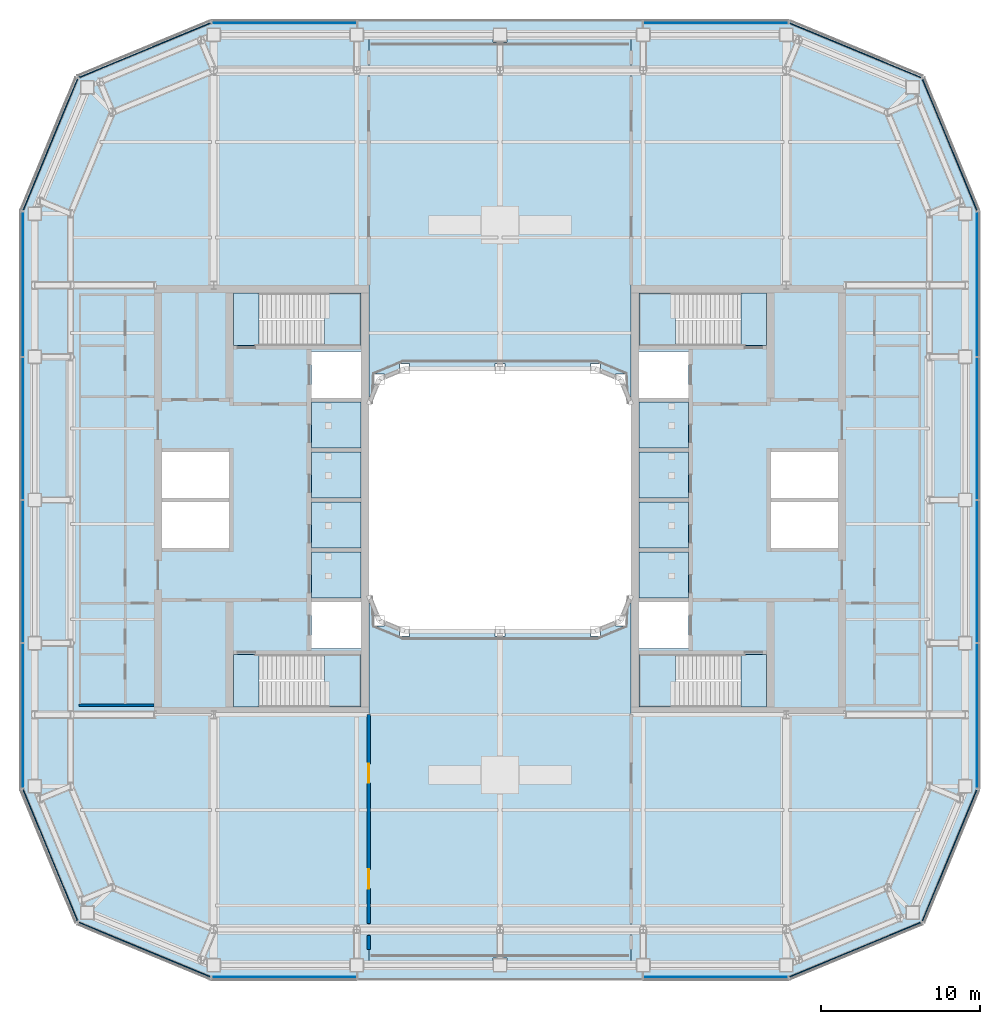
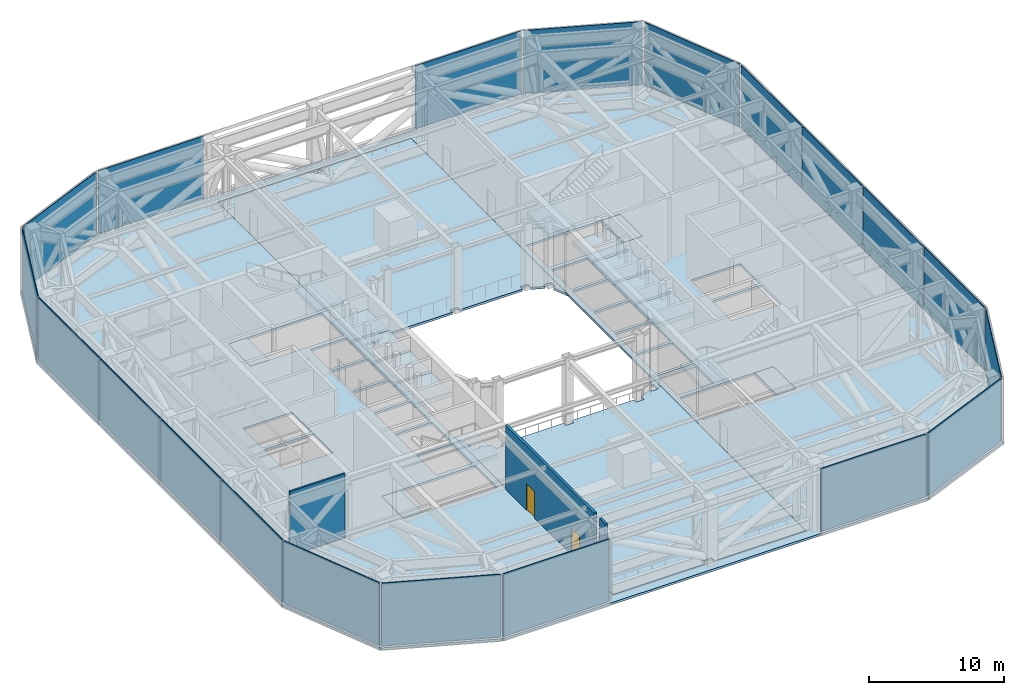
# One storey, part 10 of 22: 20 plates, 19 slabs, 3 walls, 2 doors, 2 openings, 18 elements without a shape of their own.
"""IFC4 building model written with IfcOpenShell, lengths in metres."""

from ifc_helpers import new_model, si_unit, direction, frame, frame_2d, origin, origin_2d, place, context, subcontext, project, spatial, polyline, rectangle, outline, extrude, material, layer, layer_set, type_object, element, fill, aggregate, save


model = new_model("IFC4")

# Units and contexts
model_context = context("Model", 3, precision=1e-05, world=origin(), true_north=direction((0.0, 1.0)))
body_context = subcontext(model_context, "Body", "Model", "MODEL_VIEW")
ifc_project = project(units=[si_unit("LENGTHUNIT", "METRE"), si_unit("AREAUNIT", "SQUARE_METRE"), si_unit("VOLUMEUNIT", "CUBIC_METRE"), si_unit("PLANEANGLEUNIT", "RADIAN"), si_unit("MASSUNIT", "GRAM", prefix="KILO")], contexts=[model_context])

# Site, building, storey
site_placement = place(None, origin())
site = spatial("IfcSite", under=ifc_project, at=site_placement, CompositionType="ELEMENT")
building_placement = place(site_placement, origin())
building = spatial("IfcBuilding", under=site, at=building_placement, Name="Siwar Civic Tower", CompositionType="ELEMENT")
storey_placement = place(building_placement, frame((0.0, 0.0, 181.199951171875)))
storey = spatial("IfcBuildingStorey", under=building, at=storey_placement, Name="L39", CompositionType="ELEMENT", Elevation=181.199951171875)

# Slabs
ifc_material_1 = material(Name="Concrete C40/50", Category="concrete")
ifc_layer_1 = layer(ifc_material_1, 0.39990234375)
ifc_layer_set_1 = layer_set([ifc_layer_1], Name="Concrete C40/50")
slab_type_1 = type_object("IfcSlabType", Name="CORE-PIT-SLAB", PredefinedType="BASESLAB", material=ifc_layer_set_1)
slab_1_placement = place(storey_placement, frame((0.0, 0.0, 4.10009765625)))
element("IfcSlab", 1, at=slab_1_placement, inside=storey, type_object=slab_type_1, Name="Lift pit floor HR1", PredefinedType="BASESLAB", context=body_context, shape_type="SweptSolid", body=[
    extrude(outline(polyline([(-8.75, -3.27490234375), (-11.85009765625, -3.27490234375), (-11.85009765625, -6.175048828125), (-8.75, -6.175048828125), (-8.75, -3.27490234375)])), origin(), (0.0, 0.0, 1.0), 0.39990234375),
])
slab_2_placement = place(storey_placement, frame((0.0, 0.0, 4.10009765625)))
element("IfcSlab", 2, at=slab_2_placement, inside=storey, type_object=slab_type_1, Name="Lift pit floor HR2", PredefinedType="BASESLAB", context=body_context, shape_type="SweptSolid", body=[
    extrude(outline(polyline([(-8.75, -0.125), (-11.85009765625, -0.125), (-11.85009765625, -3.02490234375), (-8.75, -3.02490234375), (-8.75, -0.125)])), origin(), (0.0, 0.0, 1.0), 0.39990234375),
])
slab_3_placement = place(storey_placement, frame((0.0, 0.0, 4.10009765625)))
element("IfcSlab", 3, at=slab_3_placement, inside=storey, type_object=slab_type_1, Name="Lift pit floor HR3", PredefinedType="BASESLAB", context=body_context, shape_type="SweptSolid", body=[
    extrude(outline(polyline([(-8.75, 3.02490234375), (-11.85009765625, 3.02490234375), (-11.85009765625, 0.125), (-8.75, 0.125), (-8.75, 3.02490234375)])), origin(), (0.0, 0.0, 1.0), 0.39990234375),
])
slab_4_placement = place(storey_placement, frame((0.0, 0.0, 4.10009765625)))
element("IfcSlab", 4, at=slab_4_placement, inside=storey, type_object=slab_type_1, Name="Lift pit floor HR4", PredefinedType="BASESLAB", context=body_context, shape_type="SweptSolid", body=[
    extrude(outline(polyline([(-8.75, 6.175048828125), (-11.85009765625, 6.175048828125), (-11.85009765625, 3.27490234375), (-8.75, 3.27490234375), (-8.75, 6.175048828125)])), origin(), (0.0, 0.0, 1.0), 0.39990234375),
])
slab_5_placement = place(storey_placement, frame((0.0, 0.0, 4.10009765625)))
element("IfcSlab", 5, at=slab_5_placement, inside=storey, type_object=slab_type_1, Name="Lift pit floor HR5", PredefinedType="BASESLAB", context=body_context, shape_type="SweptSolid", body=[
    extrude(outline(polyline([(8.75, -6.175048828125), (11.85009765625, -6.175048828125), (11.85009765625, -3.27490234375), (8.75, -3.27490234375), (8.75, -6.175048828125)])), origin(), (0.0, 0.0, 1.0), 0.39990234375),
])
slab_6_placement = place(storey_placement, frame((0.0, 0.0, 4.10009765625)))
element("IfcSlab", 6, at=slab_6_placement, inside=storey, type_object=slab_type_1, Name="Lift pit floor HR6", PredefinedType="BASESLAB", context=body_context, shape_type="SweptSolid", body=[
    extrude(outline(polyline([(8.75, -3.02490234375), (11.85009765625, -3.02490234375), (11.85009765625, -0.125), (8.75, -0.125), (8.75, -3.02490234375)])), origin(), (0.0, 0.0, 1.0), 0.39990234375),
])
slab_7_placement = place(storey_placement, frame((0.0, 0.0, 4.10009765625)))
element("IfcSlab", 7, at=slab_7_placement, inside=storey, type_object=slab_type_1, Name="Lift pit floor HR7", PredefinedType="BASESLAB", context=body_context, shape_type="SweptSolid", body=[
    extrude(outline(polyline([(8.75, 0.125), (11.85009765625, 0.125), (11.85009765625, 3.02490234375), (8.75, 3.02490234375), (8.75, 0.125)])), origin(), (0.0, 0.0, 1.0), 0.39990234375),
])
slab_8_placement = place(storey_placement, frame((0.0, 0.0, 4.10009765625)))
element("IfcSlab", 8, at=slab_8_placement, inside=storey, type_object=slab_type_1, Name="Lift pit floor HR8", PredefinedType="BASESLAB", context=body_context, shape_type="SweptSolid", body=[
    extrude(outline(polyline([(8.75, 3.27490234375), (11.85009765625, 3.27490234375), (11.85009765625, 6.175048828125), (8.75, 6.175048828125), (8.75, 3.27490234375)])), origin(), (0.0, 0.0, 1.0), 0.39990234375),
])

# Stair, slabs
ifc_material_2 = material(Name="Concrete C40/50", Category="concrete")
stair_type = type_object("IfcStairType", Name="CORE-STAIR", PredefinedType="TWO_STRAIGHT_RUN_STAIR", material=ifc_material_2)
stair_1_placement = place(storey_placement, origin())
stair_1 = element("IfcStair", 9, at=stair_1_placement, inside=storey, type_object=stair_type, Name="Exit stair ST1", PredefinedType="TWO_STRAIGHT_RUN_STAIR")
ifc_material_3 = material(Name="Concrete C40/50", Category="concrete")
ifc_layer_2 = layer(ifc_material_3, 0.300048828125)
ifc_layer_set_2 = layer_set([ifc_layer_2], Name="Concrete C40/50")
slab_type_2 = type_object("IfcSlabType", Name="CORE-STAIR-LANDING", PredefinedType="LANDING", material=ifc_layer_set_2)
slab_9_placement = place(storey_placement, frame((0.0, 0.0, -0.300048828125)))
slab_9 = element("IfcSlab", 10, at=slab_9_placement, type_object=slab_type_2, Name="ST1 landing 1", PredefinedType="LANDING", context=body_context, shape_type="SweptSolid", body=[
    extrude(outline(polyline([(-15.14990234375, 13.0), (-16.75, 13.0), (-16.75, 9.699951171875), (-15.14990234375, 9.699951171875), (-15.14990234375, 13.0)])), origin(), (0.0, 0.0, 1.0), 0.300048828125),
])
slab_10_placement = place(storey_placement, frame((0.0, 0.0, 2.699951171875)))
slab_10 = element("IfcSlab", 11, at=slab_10_placement, type_object=slab_type_2, Name="ST1 landing 2", PredefinedType="LANDING", context=body_context, shape_type="SweptSolid", body=[
    extrude(outline(polyline([(-8.75, 13.0), (-11.02001953125, 13.0), (-11.02001953125, 9.699951171875), (-8.75, 9.699951171875), (-8.75, 13.0)])), origin(), (0.0, 0.0, 1.0), 0.300048828125),
])
aggregate(stair_1, [slab_9, slab_10])

stair_2_placement = place(storey_placement, origin())
stair_2 = element("IfcStair", 12, at=stair_2_placement, inside=storey, type_object=stair_type, Name="Exit stair ST2", PredefinedType="TWO_STRAIGHT_RUN_STAIR")
slab_11_placement = place(storey_placement, frame((0.0, 0.0, -0.300048828125)))
slab_11 = element("IfcSlab", 13, at=slab_11_placement, type_object=slab_type_2, Name="ST2 landing 1", PredefinedType="LANDING", context=body_context, shape_type="SweptSolid", body=[
    extrude(outline(polyline([(-15.14990234375, -9.699951171875), (-16.75, -9.699951171875), (-16.75, -13.0), (-15.14990234375, -13.0), (-15.14990234375, -9.699951171875)])), origin(), (0.0, 0.0, 1.0), 0.300048828125),
])
slab_12_placement = place(storey_placement, frame((0.0, 0.0, 2.699951171875)))
slab_12 = element("IfcSlab", 14, at=slab_12_placement, type_object=slab_type_2, Name="ST2 landing 2", PredefinedType="LANDING", context=body_context, shape_type="SweptSolid", body=[
    extrude(outline(polyline([(-8.75, -9.699951171875), (-11.02001953125, -9.699951171875), (-11.02001953125, -13.0), (-8.75, -13.0), (-8.75, -9.699951171875)])), origin(), (0.0, 0.0, 1.0), 0.300048828125),
])
aggregate(stair_2, [slab_11, slab_12])

stair_3_placement = place(storey_placement, origin())
stair_3 = element("IfcStair", 15, at=stair_3_placement, inside=storey, type_object=stair_type, Name="Exit stair ST3", PredefinedType="TWO_STRAIGHT_RUN_STAIR")
slab_13_placement = place(storey_placement, frame((0.0, 0.0, -0.300048828125)))
slab_13 = element("IfcSlab", 16, at=slab_13_placement, type_object=slab_type_2, Name="ST3 landing 1", PredefinedType="LANDING", context=body_context, shape_type="SweptSolid", body=[
    extrude(outline(polyline([(15.14990234375, 9.699951171875), (16.75, 9.699951171875), (16.75, 13.0), (15.14990234375, 13.0), (15.14990234375, 9.699951171875)])), origin(), (0.0, 0.0, 1.0), 0.300048828125),
])
slab_14_placement = place(storey_placement, frame((0.0, 0.0, 2.699951171875)))
slab_14 = element("IfcSlab", 17, at=slab_14_placement, type_object=slab_type_2, Name="ST3 landing 2", PredefinedType="LANDING", context=body_context, shape_type="SweptSolid", body=[
    extrude(outline(polyline([(8.75, 9.699951171875), (11.02001953125, 9.699951171875), (11.02001953125, 13.0), (8.75, 13.0), (8.75, 9.699951171875)])), origin(), (0.0, 0.0, 1.0), 0.300048828125),
])
aggregate(stair_3, [slab_13, slab_14])

stair_4_placement = place(storey_placement, origin())
stair_4 = element("IfcStair", 18, at=stair_4_placement, inside=storey, type_object=stair_type, Name="Exit stair ST4", PredefinedType="TWO_STRAIGHT_RUN_STAIR")
slab_15_placement = place(storey_placement, frame((0.0, 0.0, -0.300048828125)))
slab_15 = element("IfcSlab", 19, at=slab_15_placement, type_object=slab_type_2, Name="ST4 landing 1", PredefinedType="LANDING", context=body_context, shape_type="SweptSolid", body=[
    extrude(outline(polyline([(15.14990234375, -13.0), (16.75, -13.0), (16.75, -9.699951171875), (15.14990234375, -9.699951171875), (15.14990234375, -13.0)])), origin(), (0.0, 0.0, 1.0), 0.300048828125),
])
slab_16_placement = place(storey_placement, frame((0.0, 0.0, 2.699951171875)))
slab_16 = element("IfcSlab", 20, at=slab_16_placement, type_object=slab_type_2, Name="ST4 landing 2", PredefinedType="LANDING", context=body_context, shape_type="SweptSolid", body=[
    extrude(outline(polyline([(8.75, -13.0), (11.02001953125, -13.0), (11.02001953125, -9.699951171875), (8.75, -9.699951171875), (8.75, -13.0)])), origin(), (0.0, 0.0, 1.0), 0.300048828125),
])
aggregate(stair_4, [slab_15, slab_16])

# Curtain wall, plate
ifc_material_4 = material(Name="Aluminium and glass", Category="aluminium")
ifc_layer_3 = layer(ifc_material_4, 0.199951171875)
ifc_layer_set_3 = layer_set([ifc_layer_3], Name="Aluminium and glass")
curtain_wall_type = type_object("IfcCurtainWallType", Name="ENV-CW-P", PredefinedType="NOTDEFINED", material=ifc_layer_set_3)
curtain_wall_1_placement = place(storey_placement, origin())
curtain_wall_1 = element("IfcCurtainWall", 21, at=curtain_wall_1_placement, inside=storey, type_object=curtain_wall_type, Name="Curtain wall P S-00", PredefinedType="NOTDEFINED")
ifc_material_5 = material(Name="Aluminium louvre blade", Category="aluminium")
ifc_layer_4 = layer(ifc_material_5, 0.06005859375)
ifc_layer_set_4 = layer_set([ifc_layer_4], Name="Aluminium louvre blade")
plate_type = type_object("IfcPlateType", Name="ENV-PANEL-P", PredefinedType="CURTAIN_PANEL", material=ifc_layer_set_4)
plate_1_placement = place(storey_placement, frame((-13.57470703125, -30.0, 0.1201171875), z_axis=(0.0, 0.0, 1.0), x_axis=(1.0, 0.0, 0.0)))
plate_1 = element("IfcPlate", 22, at=plate_1_placement, type_object=plate_type, Name="Curtain panel P S-00 1", PredefinedType="CURTAIN_PANEL", context=body_context, shape_type="SweptSolid", body=[
    extrude(rectangle(XDim=9.049072265625, YDim=0.06005859375, at=origin_2d()), origin(), (0.0, 0.0, 1.0), 5.679931640625),
])
aggregate(curtain_wall_1, [plate_1])

curtain_wall_2_placement = place(storey_placement, origin())
curtain_wall_2 = element("IfcCurtainWall", 23, at=curtain_wall_2_placement, inside=storey, type_object=curtain_wall_type, Name="Curtain wall P S-03", PredefinedType="NOTDEFINED")
plate_2_placement = place(storey_placement, frame((13.53662109375, -30.0, 0.1201171875), z_axis=(0.0, 0.0, 1.0), x_axis=(1.0, 0.0, 0.0)))
plate_2 = element("IfcPlate", 24, at=plate_2_placement, type_object=plate_type, Name="Curtain panel P S-03 1", PredefinedType="CURTAIN_PANEL", context=body_context, shape_type="SweptSolid", body=[
    extrude(rectangle(XDim=8.97314453125, YDim=0.06005859375, at=origin_2d()), origin(), (0.0, 0.0, 1.0), 5.679931640625),
])
aggregate(curtain_wall_2, [plate_2])

curtain_wall_3_placement = place(storey_placement, origin())
curtain_wall_3 = element("IfcCurtainWall", 25, at=curtain_wall_3_placement, inside=storey, type_object=curtain_wall_type, Name="Curtain wall P SE1", PredefinedType="NOTDEFINED")
plate_3_placement = place(storey_placement, frame((22.303955078125, -28.279052734375, 0.1201171875), z_axis=(0.0, 0.0, 1.0), x_axis=(0.923879532511, 0.382683432365, 0.0)))
plate_3 = element("IfcPlate", 26, at=plate_3_placement, type_object=plate_type, Name="Curtain panel P SE1 1", PredefinedType="CURTAIN_PANEL", context=body_context, shape_type="SweptSolid", body=[
    extrude(rectangle(XDim=8.89404296875, YDim=0.06005859375, at=origin_2d()), origin(), (0.0, 0.0, 1.0), 5.679931640625),
])
aggregate(curtain_wall_3, [plate_3])

curtain_wall_4_placement = place(storey_placement, origin())
curtain_wall_4 = element("IfcCurtainWall", 27, at=curtain_wall_4_placement, inside=storey, type_object=curtain_wall_type, Name="Curtain wall P SE2", PredefinedType="NOTDEFINED")
plate_4_placement = place(storey_placement, frame((28.25, -22.374267578125, 0.1201171875), z_axis=(0.0, 0.0, 1.0), x_axis=(0.382683432365, 0.923879532511, 0.0)))
plate_4 = element("IfcPlate", 28, at=plate_4_placement, type_object=plate_type, Name="Curtain panel P SE2 1", PredefinedType="CURTAIN_PANEL", context=body_context, shape_type="SweptSolid", body=[
    extrude(rectangle(XDim=8.89404296875, YDim=0.06005859375, at=origin_2d()), origin(), (0.0, 0.0, 1.0), 5.679931640625),
])
aggregate(curtain_wall_4, [plate_4])

# Curtain wall, plates
curtain_wall_5_placement = place(storey_placement, origin())
curtain_wall_5 = element("IfcCurtainWall", 29, at=curtain_wall_5_placement, inside=storey, type_object=curtain_wall_type, Name="Curtain wall P E", PredefinedType="NOTDEFINED")
plate_5_placement = place(storey_placement, frame((30.0, -13.57470703125, 0.1201171875), z_axis=(0.0, 0.0, 1.0), x_axis=(0.0, 1.0, 0.0)))
plate_5 = element("IfcPlate", 30, at=plate_5_placement, type_object=plate_type, Name="Curtain panel P E 1", PredefinedType="CURTAIN_PANEL", context=body_context, shape_type="SweptSolid", body=[
    extrude(rectangle(XDim=9.049072265625, YDim=0.06005859375, at=origin_2d()), origin(), (0.0, 0.0, 1.0), 5.679931640625),
])
plate_6_placement = place(storey_placement, frame((30.0, -4.5, 0.1201171875), z_axis=(0.0, 0.0, 1.0), x_axis=(0.0, 1.0, 0.0)))
plate_6 = element("IfcPlate", 31, at=plate_6_placement, type_object=plate_type, Name="Curtain panel P E 2", PredefinedType="CURTAIN_PANEL", context=body_context, shape_type="SweptSolid", body=[
    extrude(rectangle(XDim=8.89990234375, YDim=0.06005859375, at=origin_2d()), origin(), (0.0, 0.0, 1.0), 5.679931640625),
])
plate_7_placement = place(storey_placement, frame((30.0, 4.5, 0.1201171875), z_axis=(0.0, 0.0, 1.0), x_axis=(0.0, 1.0, 0.0)))
plate_7 = element("IfcPlate", 32, at=plate_7_placement, type_object=plate_type, Name="Curtain panel P E 3", PredefinedType="CURTAIN_PANEL", context=body_context, shape_type="SweptSolid", body=[
    extrude(rectangle(XDim=8.89990234375, YDim=0.06005859375, at=origin_2d()), origin(), (0.0, 0.0, 1.0), 5.679931640625),
])
plate_8_placement = place(storey_placement, frame((30.0, 13.53662109375, 0.1201171875), z_axis=(0.0, 0.0, 1.0), x_axis=(0.0, 1.0, 0.0)))
plate_8 = element("IfcPlate", 33, at=plate_8_placement, type_object=plate_type, Name="Curtain panel P E 4", PredefinedType="CURTAIN_PANEL", context=body_context, shape_type="SweptSolid", body=[
    extrude(rectangle(XDim=8.97314453125, YDim=0.06005859375, at=origin_2d()), origin(), (0.0, 0.0, 1.0), 5.679931640625),
])
aggregate(curtain_wall_5, [plate_5, plate_6, plate_7, plate_8])

# Curtain wall, plate
curtain_wall_6_placement = place(storey_placement, origin())
curtain_wall_6 = element("IfcCurtainWall", 34, at=curtain_wall_6_placement, inside=storey, type_object=curtain_wall_type, Name="Curtain wall P NE1", PredefinedType="NOTDEFINED")
plate_9_placement = place(storey_placement, frame((28.279052734375, 22.303955078125, 0.1201171875), z_axis=(0.0, 0.0, 1.0), x_axis=(-0.382683432365, 0.923879532511, 0.0)))
plate_9 = element("IfcPlate", 35, at=plate_9_placement, type_object=plate_type, Name="Curtain panel P NE1 1", PredefinedType="CURTAIN_PANEL", context=body_context, shape_type="SweptSolid", body=[
    extrude(rectangle(XDim=8.89404296875, YDim=0.06005859375, at=origin_2d()), origin(), (0.0, 0.0, 1.0), 5.679931640625),
])
aggregate(curtain_wall_6, [plate_9])

curtain_wall_7_placement = place(storey_placement, origin())
curtain_wall_7 = element("IfcCurtainWall", 36, at=curtain_wall_7_placement, inside=storey, type_object=curtain_wall_type, Name="Curtain wall P NE2", PredefinedType="NOTDEFINED")
plate_10_placement = place(storey_placement, frame((22.374267578125, 28.25, 0.1201171875), z_axis=(0.0, 0.0, 1.0), x_axis=(-0.923879532511, 0.382683432365, 0.0)))
plate_10 = element("IfcPlate", 37, at=plate_10_placement, type_object=plate_type, Name="Curtain panel P NE2 1", PredefinedType="CURTAIN_PANEL", context=body_context, shape_type="SweptSolid", body=[
    extrude(rectangle(XDim=8.89404296875, YDim=0.06005859375, at=origin_2d()), origin(), (0.0, 0.0, 1.0), 5.679931640625),
])
aggregate(curtain_wall_7, [plate_10])

curtain_wall_8_placement = place(storey_placement, origin())
curtain_wall_8 = element("IfcCurtainWall", 38, at=curtain_wall_8_placement, inside=storey, type_object=curtain_wall_type, Name="Curtain wall P N-00", PredefinedType="NOTDEFINED")
plate_11_placement = place(storey_placement, frame((13.57470703125, 30.0, 0.1201171875), z_axis=(0.0, 0.0, 1.0), x_axis=(-1.0, 0.0, 0.0)))
plate_11 = element("IfcPlate", 39, at=plate_11_placement, type_object=plate_type, Name="Curtain panel P N-00 1", PredefinedType="CURTAIN_PANEL", context=body_context, shape_type="SweptSolid", body=[
    extrude(rectangle(XDim=9.049072265625, YDim=0.06005859375, at=origin_2d()), origin(), (0.0, 0.0, 1.0), 5.679931640625),
])
aggregate(curtain_wall_8, [plate_11])

curtain_wall_9_placement = place(storey_placement, origin())
curtain_wall_9 = element("IfcCurtainWall", 40, at=curtain_wall_9_placement, inside=storey, type_object=curtain_wall_type, Name="Curtain wall P N-03", PredefinedType="NOTDEFINED")
plate_12_placement = place(storey_placement, frame((-13.53662109375, 30.0, 0.1201171875), z_axis=(0.0, 0.0, 1.0), x_axis=(-1.0, 0.0, 0.0)))
plate_12 = element("IfcPlate", 41, at=plate_12_placement, type_object=plate_type, Name="Curtain panel P N-03 1", PredefinedType="CURTAIN_PANEL", context=body_context, shape_type="SweptSolid", body=[
    extrude(rectangle(XDim=8.97314453125, YDim=0.06005859375, at=origin_2d()), origin(), (0.0, 0.0, 1.0), 5.679931640625),
])
aggregate(curtain_wall_9, [plate_12])

curtain_wall_10_placement = place(storey_placement, origin())
curtain_wall_10 = element("IfcCurtainWall", 42, at=curtain_wall_10_placement, inside=storey, type_object=curtain_wall_type, Name="Curtain wall P NW1", PredefinedType="NOTDEFINED")
plate_13_placement = place(storey_placement, frame((-22.303955078125, 28.279052734375, 0.1201171875), z_axis=(0.0, 0.0, 1.0), x_axis=(-0.923879532511, -0.382683432365, 0.0)))
plate_13 = element("IfcPlate", 43, at=plate_13_placement, type_object=plate_type, Name="Curtain panel P NW1 1", PredefinedType="CURTAIN_PANEL", context=body_context, shape_type="SweptSolid", body=[
    extrude(rectangle(XDim=8.89404296875, YDim=0.06005859375, at=origin_2d()), origin(), (0.0, 0.0, 1.0), 5.679931640625),
])
aggregate(curtain_wall_10, [plate_13])

curtain_wall_11_placement = place(storey_placement, origin())
curtain_wall_11 = element("IfcCurtainWall", 44, at=curtain_wall_11_placement, inside=storey, type_object=curtain_wall_type, Name="Curtain wall P NW2", PredefinedType="NOTDEFINED")
plate_14_placement = place(storey_placement, frame((-28.25, 22.374267578125, 0.1201171875), z_axis=(0.0, 0.0, 1.0), x_axis=(-0.382683432365, -0.923879532511, 0.0)))
plate_14 = element("IfcPlate", 45, at=plate_14_placement, type_object=plate_type, Name="Curtain panel P NW2 1", PredefinedType="CURTAIN_PANEL", context=body_context, shape_type="SweptSolid", body=[
    extrude(rectangle(XDim=8.89404296875, YDim=0.06005859375, at=origin_2d()), origin(), (0.0, 0.0, 1.0), 5.679931640625),
])
aggregate(curtain_wall_11, [plate_14])

# Curtain wall, plates
curtain_wall_12_placement = place(storey_placement, origin())
curtain_wall_12 = element("IfcCurtainWall", 46, at=curtain_wall_12_placement, inside=storey, type_object=curtain_wall_type, Name="Curtain wall P W", PredefinedType="NOTDEFINED")
plate_15_placement = place(storey_placement, frame((-30.0, 13.57470703125, 0.1201171875), z_axis=(0.0, 0.0, 1.0), x_axis=(0.0, -1.0, 0.0)))
plate_15 = element("IfcPlate", 47, at=plate_15_placement, type_object=plate_type, Name="Curtain panel P W 1", PredefinedType="CURTAIN_PANEL", context=body_context, shape_type="SweptSolid", body=[
    extrude(rectangle(XDim=9.049072265625, YDim=0.06005859375, at=origin_2d()), origin(), (0.0, 0.0, 1.0), 5.679931640625),
])
plate_16_placement = place(storey_placement, frame((-30.0, 4.5, 0.1201171875), z_axis=(0.0, 0.0, 1.0), x_axis=(0.0, -1.0, 0.0)))
plate_16 = element("IfcPlate", 48, at=plate_16_placement, type_object=plate_type, Name="Curtain panel P W 2", PredefinedType="CURTAIN_PANEL", context=body_context, shape_type="SweptSolid", body=[
    extrude(rectangle(XDim=8.89990234375, YDim=0.06005859375, at=origin_2d()), origin(), (0.0, 0.0, 1.0), 5.679931640625),
])
plate_17_placement = place(storey_placement, frame((-30.0, -4.5, 0.1201171875), z_axis=(0.0, 0.0, 1.0), x_axis=(0.0, -1.0, 0.0)))
plate_17 = element("IfcPlate", 49, at=plate_17_placement, type_object=plate_type, Name="Curtain panel P W 3", PredefinedType="CURTAIN_PANEL", context=body_context, shape_type="SweptSolid", body=[
    extrude(rectangle(XDim=8.89990234375, YDim=0.06005859375, at=origin_2d()), origin(), (0.0, 0.0, 1.0), 5.679931640625),
])
plate_18_placement = place(storey_placement, frame((-30.0, -13.53662109375, 0.1201171875), z_axis=(0.0, 0.0, 1.0), x_axis=(0.0, -1.0, 0.0)))
plate_18 = element("IfcPlate", 50, at=plate_18_placement, type_object=plate_type, Name="Curtain panel P W 4", PredefinedType="CURTAIN_PANEL", context=body_context, shape_type="SweptSolid", body=[
    extrude(rectangle(XDim=8.97314453125, YDim=0.06005859375, at=origin_2d()), origin(), (0.0, 0.0, 1.0), 5.679931640625),
])
aggregate(curtain_wall_12, [plate_15, plate_16, plate_17, plate_18])

# Curtain wall, plate
curtain_wall_13_placement = place(storey_placement, origin())
curtain_wall_13 = element("IfcCurtainWall", 51, at=curtain_wall_13_placement, inside=storey, type_object=curtain_wall_type, Name="Curtain wall P SW1", PredefinedType="NOTDEFINED")
plate_19_placement = place(storey_placement, frame((-28.279052734375, -22.303955078125, 0.1201171875), z_axis=(0.0, 0.0, 1.0), x_axis=(0.382683432365, -0.923879532511, 0.0)))
plate_19 = element("IfcPlate", 52, at=plate_19_placement, type_object=plate_type, Name="Curtain panel P SW1 1", PredefinedType="CURTAIN_PANEL", context=body_context, shape_type="SweptSolid", body=[
    extrude(rectangle(XDim=8.89404296875, YDim=0.06005859375, at=origin_2d()), origin(), (0.0, 0.0, 1.0), 5.679931640625),
])
aggregate(curtain_wall_13, [plate_19])

curtain_wall_14_placement = place(storey_placement, origin())
curtain_wall_14 = element("IfcCurtainWall", 53, at=curtain_wall_14_placement, inside=storey, type_object=curtain_wall_type, Name="Curtain wall P SW2", PredefinedType="NOTDEFINED")
plate_20_placement = place(storey_placement, frame((-22.374267578125, -28.25, 0.1201171875), z_axis=(0.0, 0.0, 1.0), x_axis=(0.923879532511, -0.382683432365, 0.0)))
plate_20 = element("IfcPlate", 54, at=plate_20_placement, type_object=plate_type, Name="Curtain panel P SW2 1", PredefinedType="CURTAIN_PANEL", context=body_context, shape_type="SweptSolid", body=[
    extrude(rectangle(XDim=8.89404296875, YDim=0.06005859375, at=origin_2d()), origin(), (0.0, 0.0, 1.0), 5.679931640625),
])
aggregate(curtain_wall_14, [plate_20])

# Slabs
ifc_material_6 = material(Name="Concrete C40/50", Category="concrete")
ifc_layer_5 = layer(ifc_material_6, 0.199951171875)
ifc_layer_set_5 = layer_set([ifc_layer_5], Name="Concrete C40/50")
slab_type_3 = type_object("IfcSlabType", Name="ENV-TERRACE SLAB 200", PredefinedType="FLOOR", material=ifc_layer_set_5)
slab_17_placement = place(storey_placement, frame((0.0, 0.0, -0.199951171875)))
element("IfcSlab", 55, at=slab_17_placement, inside=storey, type_object=slab_type_3, Name="Sky portal terrace N", PredefinedType="FLOOR", context=body_context, shape_type="SweptSolid", body=[
    extrude(outline(polyline([(-0.449951171875, 29.25), (-8.25, 29.25), (-8.25, 6.0), (-7.7255859375, 7.265869140625), (-7.916015625, 7.265869140625), (-7.916015625, 7.916015625), (-7.265869140625, 7.916015625), (-7.265869140625, 7.7255859375), (-6.324951171875, 8.115478515625), (-6.324951171875, 8.574951171875), (-5.675048828125, 8.574951171875), (-5.675048828125, 8.25), (-0.324951171875, 8.25), (-0.324951171875, 8.574951171875), (0.324951171875, 8.574951171875), (0.324951171875, 8.25), (5.675048828125, 8.25), (5.675048828125, 8.574951171875), (6.324951171875, 8.574951171875), (6.324951171875, 8.115478515625), (7.265869140625, 7.7255859375), (7.265869140625, 7.916015625), (7.916015625, 7.916015625), (7.916015625, 7.265869140625), (7.7255859375, 7.265869140625), (8.25, 6.0), (8.25, 29.25), (0.449951171875, 29.25), (0.449951171875, 28.800048828125), (-0.449951171875, 28.800048828125), (-0.449951171875, 29.25)])), origin(), (0.0, 0.0, 1.0), 0.199951171875),
])
slab_18_placement = place(storey_placement, frame((0.0, 0.0, -0.199951171875)))
element("IfcSlab", 56, at=slab_18_placement, inside=storey, type_object=slab_type_3, Name="Sky portal terrace S", PredefinedType="FLOOR", context=body_context, shape_type="SweptSolid", body=[
    extrude(outline(polyline([(-7.916015625, -7.265869140625), (-7.7255859375, -7.265869140625), (-8.25, -6.0), (-8.25, -29.25), (-0.449951171875, -29.25), (-0.449951171875, -28.800048828125), (0.449951171875, -28.800048828125), (0.449951171875, -29.25), (8.25, -29.25), (8.25, -6.0), (7.7255859375, -7.265869140625), (7.916015625, -7.265869140625), (7.916015625, -7.916015625), (7.265869140625, -7.916015625), (7.265869140625, -7.7255859375), (6.324951171875, -8.115478515625), (6.324951171875, -8.574951171875), (5.675048828125, -8.574951171875), (5.675048828125, -8.25), (0.324951171875, -8.25), (0.324951171875, -8.574951171875), (-0.324951171875, -8.574951171875), (-0.324951171875, -8.25), (-5.675048828125, -8.25), (-5.675048828125, -8.574951171875), (-6.324951171875, -8.574951171875), (-6.324951171875, -8.115478515625), (-7.265869140625, -7.7255859375), (-7.265869140625, -7.916015625), (-7.916015625, -7.916015625), (-7.916015625, -7.265869140625)])), origin(), (0.0, 0.0, 1.0), 0.199951171875),
])
ifc_material_7 = material(Name="Concrete C40/50", Category="concrete")
ifc_layer_6 = layer(ifc_material_7, 0.199951171875)
ifc_layer_set_6 = layer_set([ifc_layer_6], Name="Concrete C40/50")
slab_type_4 = type_object("IfcSlabType", Name="STR-FLOOR-DECK-200", PredefinedType="FLOOR", material=ifc_layer_set_6)
slab_19_placement = place(storey_placement, frame((0.0, 0.0, -0.199951171875)))
element("IfcSlab", 57, at=slab_19_placement, inside=storey, type_object=slab_type_4, Name="L39/slab/1", PredefinedType="FLOOR", context=body_context, shape_type="SweptSolid", body=[
    extrude(outline(polyline([(-18.169189453125, -30.10009765625), (18.169189453125, -30.10009765625), (26.60546875, -26.60546875), (30.10009765625, -18.169189453125), (30.10009765625, 18.169189453125), (26.60546875, 26.60546875), (18.169189453125, 30.10009765625), (-18.169189453125, 30.10009765625), (-26.60546875, 26.60546875), (-30.10009765625, 18.169189453125), (-30.10009765625, -18.169189453125), (-26.60546875, -26.60546875), (-18.169189453125, -30.10009765625)]), holes=[polyline([(21.25, 3.02490234375), (21.25, 0.125), (17.050048828125, 0.125), (17.050048828125, 3.02490234375), (21.25, 3.02490234375)]), polyline([(17.050048828125, -0.125), (21.25, -0.125), (21.25, -3.02490234375), (17.050048828125, -3.02490234375), (17.050048828125, -0.125)]), polyline([(16.75, 13.0), (16.75, 9.699951171875), (8.75, 9.699951171875), (8.75, 13.0), (16.75, 13.0)]), polyline([(8.75, -9.699951171875), (16.75, -9.699951171875), (16.75, -13.0), (8.75, -13.0), (8.75, -9.699951171875)]), polyline([(11.85009765625, 9.324951171875), (11.85009765625, 6.425048828125), (8.75, 6.425048828125), (8.75, 9.324951171875), (11.85009765625, 9.324951171875)]), polyline([(11.85009765625, 3.02490234375), (11.85009765625, 0.125), (8.75, 0.125), (8.75, 3.02490234375), (11.85009765625, 3.02490234375)]), polyline([(11.85009765625, -0.125), (11.85009765625, -3.02490234375), (8.75, -3.02490234375), (8.75, -0.125), (11.85009765625, -0.125)]), polyline([(11.85009765625, -3.27490234375), (11.85009765625, -6.175048828125), (8.75, -6.175048828125), (8.75, -3.27490234375), (11.85009765625, -3.27490234375)]), polyline([(8.75, 6.175048828125), (11.85009765625, 6.175048828125), (11.85009765625, 3.27490234375), (8.75, 3.27490234375), (8.75, 6.175048828125)]), polyline([(8.75, -6.425048828125), (11.85009765625, -6.425048828125), (11.85009765625, -9.324951171875), (8.75, -9.324951171875), (8.75, -6.425048828125)]), polyline([(8.25, -29.25), (-8.25, -29.25), (-8.25, 29.25), (8.25, 29.25), (8.25, -29.25)]), polyline([(-8.75, 9.699951171875), (-16.75, 9.699951171875), (-16.75, 13.0), (-8.75, 13.0), (-8.75, 9.699951171875)]), polyline([(-8.75, 0.125), (-11.85009765625, 0.125), (-11.85009765625, 3.02490234375), (-8.75, 3.02490234375), (-8.75, 0.125)]), polyline([(-8.75, -6.175048828125), (-11.85009765625, -6.175048828125), (-11.85009765625, -3.27490234375), (-8.75, -3.27490234375), (-8.75, -6.175048828125)]), polyline([(-8.75, -9.324951171875), (-11.85009765625, -9.324951171875), (-11.85009765625, -6.425048828125), (-8.75, -6.425048828125), (-8.75, -9.324951171875)]), polyline([(-8.75, -13.0), (-16.75, -13.0), (-16.75, -9.699951171875), (-8.75, -9.699951171875), (-8.75, -13.0)]), polyline([(-11.85009765625, 6.425048828125), (-11.85009765625, 9.324951171875), (-8.75, 9.324951171875), (-8.75, 6.425048828125), (-11.85009765625, 6.425048828125)]), polyline([(-11.85009765625, 3.27490234375), (-11.85009765625, 6.175048828125), (-8.75, 6.175048828125), (-8.75, 3.27490234375), (-11.85009765625, 3.27490234375)]), polyline([(-11.85009765625, -3.02490234375), (-11.85009765625, -0.125), (-8.75, -0.125), (-8.75, -3.02490234375), (-11.85009765625, -3.02490234375)]), polyline([(-21.25, -3.02490234375), (-21.25, -0.125), (-17.050048828125, -0.125), (-17.050048828125, -3.02490234375), (-21.25, -3.02490234375)]), polyline([(-17.050048828125, 0.125), (-21.25, 0.125), (-21.25, 3.02490234375), (-17.050048828125, 3.02490234375), (-17.050048828125, 0.125)])]), origin(), (0.0, 0.0, 1.0), 0.199951171875),
])

# Wall
ifc_material_8 = material(Name="Gypsum board on steel studs", Category="steel")
ifc_layer_7 = layer(ifc_material_8, 0.14990234375)
ifc_layer_set_7 = layer_set([ifc_layer_7], Name="Gypsum board on steel studs")
wall_type_1 = type_object("IfcWallType", Name="COMPARTMENT PARTITION 150 EI 60", PredefinedType="PARTITIONING", material=ifc_layer_set_7)
wall_1_placement = place(storey_placement, frame((-26.47509765625, -12.89990234375, 0.0), z_axis=(0.0, 0.0, 1.0), x_axis=(1.0, 0.0, 0.0)))
element("IfcWall", 58, at=wall_1_placement, inside=storey, type_object=wall_type_1, Name="L39/wall/P01", PredefinedType="PARTITIONING", context=body_context, shape_type="SweptSolid", body=[
    extrude(rectangle(XDim=4.72509765625, YDim=0.14990234375, at=frame_2d((2.362548828125, 0.0))), origin(), (0.0, 0.0, 1.0), 5.800048828125),
])

# Wall, openings, doors
ifc_material_9 = material(Name="Aluminium clad insulated panel", Category="aluminium")
ifc_layer_8 = layer(ifc_material_9, 0.199951171875)
ifc_layer_set_8 = layer_set([ifc_layer_8], Name="Aluminium clad insulated panel")
wall_type_2 = type_object("IfcWallType", Name="ENV-PORTAL WALL", PredefinedType="STANDARD", material=ifc_layer_set_8)
wall_2_placement = place(storey_placement, frame((-8.25, -13.5, 0.0), z_axis=(0.0, 0.0, 1.0), x_axis=(0.0, -1.0, 0.0)))
wall_2 = element("IfcWall", 59, at=wall_2_placement, inside=storey, type_object=wall_type_2, Name="Sky portal closing wall SW", PredefinedType="STANDARD", context=body_context, shape_type="SweptSolid", body=[
    extrude(rectangle(XDim=13.114990234375, YDim=0.199951171875, at=frame_2d((6.5576171875, 0.0))), origin(), (0.0, 0.0, 1.0), 5.800048828125),
])
opening_1_placement = place(wall_2_placement, frame((3.08740234375, 0.0, 0.0)))
opening_1 = element("IfcOpeningElement", 60, at=opening_1_placement, cuts=wall_2, Name="Opening D-PT", PredefinedType="OPENING", context=body_context, shape_type="SweptSolid", body=[
    extrude(rectangle(XDim=1.199951171875, YDim=2.39990234375, at=frame_2d((0.60009765625, 1.199951171875))), frame((0.0, 0.10986328125, 0.0), z_axis=(0.0, -1.0, 0.0), x_axis=(1.0, 0.0, 0.0)), (0.0, 0.0, 1.0), 0.219970703125),
])
opening_2_placement = place(wall_2_placement, frame((9.72509765625, 0.0, 0.0)))
opening_2 = element("IfcOpeningElement", 61, at=opening_2_placement, cuts=wall_2, Name="Opening D-PT", PredefinedType="OPENING", context=body_context, shape_type="SweptSolid", body=[
    extrude(rectangle(XDim=1.199951171875, YDim=2.39990234375, at=frame_2d((0.60009765625, 1.199951171875))), frame((0.0, 0.10986328125, 0.0), z_axis=(0.0, -1.0, 0.0), x_axis=(1.0, 0.0, 0.0)), (0.0, 0.0, 1.0), 0.219970703125),
])
ifc_material_10 = material(Name="Aluminium and glass", Category="aluminium")
door_type = type_object("IfcDoorType", Name="ENV-DOOR-PORTAL", OperationType="DOUBLE_DOOR_SINGLE_SWING", PredefinedType="DOOR", material=ifc_material_10)
door_1_placement = place(opening_1_placement, origin())
door_1 = element("IfcDoor", 62, at=door_1_placement, inside=storey, type_object=door_type, Name="Sky portal door SW 1", OperationType="DOUBLE_DOOR_SINGLE_SWING", OverallHeight=2.39990234375, OverallWidth=1.199951171875, PredefinedType="DOOR", context=body_context, shape_type="SweptSolid", body=[
    extrude(rectangle(XDim=1.199951171875, YDim=2.39990234375, at=frame_2d((0.60009765625, 1.199951171875))), frame((0.0, 0.02490234375, 0.0), z_axis=(0.0, -1.0, 0.0), x_axis=(1.0, 0.0, 0.0)), (0.0, 0.0, 1.0), 0.050048828125),
])
fill(opening_1, door_1)
door_2_placement = place(opening_2_placement, origin())
door_2 = element("IfcDoor", 63, at=door_2_placement, inside=storey, type_object=door_type, Name="Sky portal door SW 2", OperationType="DOUBLE_DOOR_SINGLE_SWING", OverallHeight=2.39990234375, OverallWidth=1.199951171875, PredefinedType="DOOR", context=body_context, shape_type="SweptSolid", body=[
    extrude(rectangle(XDim=1.199951171875, YDim=2.39990234375, at=frame_2d((0.60009765625, 1.199951171875))), frame((0.0, 0.02490234375, 0.0), z_axis=(0.0, -1.0, 0.0), x_axis=(1.0, 0.0, 0.0)), (0.0, 0.0, 1.0), 0.050048828125),
])
fill(opening_2, door_2)

# Wall
wall_3_placement = place(storey_placement, frame((-8.25, -27.385009765625, 0.0), z_axis=(0.0, 0.0, 1.0), x_axis=(0.0, -1.0, 0.0)))
element("IfcWall", 64, at=wall_3_placement, inside=storey, type_object=wall_type_2, Name="Sky portal closing wall SW", PredefinedType="STANDARD", context=body_context, shape_type="SweptSolid", body=[
    extrude(rectangle(XDim=0.864990234375, YDim=0.199951171875, at=frame_2d((0.4326171875, 0.0))), origin(), (0.0, 0.0, 1.0), 5.800048828125),
])

save(model, "model.ifc")
